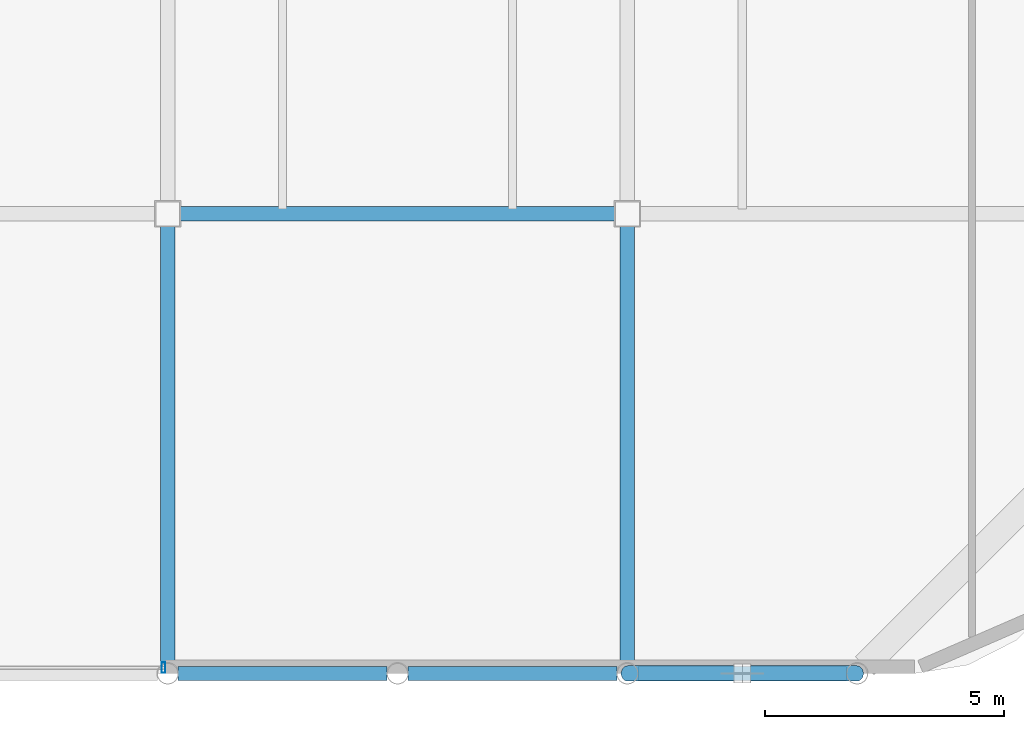
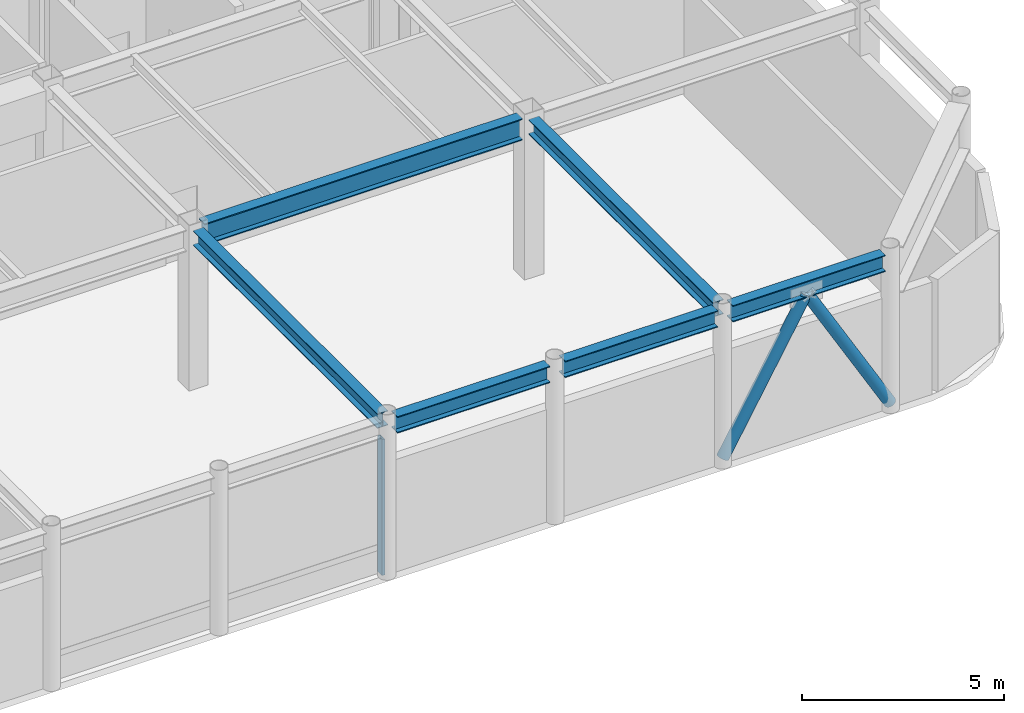
# One storey, part 9 of 21: 6 beams, 3 members, 1 element without a shape of its own.
"""IFC4 building model written with IfcOpenShell, lengths in metres."""

from ifc_helpers import new_model, si_unit, direction, frame, origin, origin_2d, place, context, subcontext, project, spatial, hollow_rectangle, hollow_circle, i_section, extrude, material, layer, layer_set, material_profile, profile_set, type_object, element, aggregate, save


model = new_model("IFC4")

# Units and contexts
model_context = context("Model", 3, precision=1e-05, world=origin(), true_north=direction((0.0, 1.0)))
body_context = subcontext(model_context, "Body", "Model", "MODEL_VIEW")
ifc_project = project(units=[si_unit("LENGTHUNIT", "METRE"), si_unit("AREAUNIT", "SQUARE_METRE"), si_unit("VOLUMEUNIT", "CUBIC_METRE"), si_unit("PLANEANGLEUNIT", "RADIAN"), si_unit("MASSUNIT", "GRAM", prefix="KILO")], contexts=[model_context])

# Site, building, storey
site_placement = place(None, origin())
site = spatial("IfcSite", under=ifc_project, at=site_placement, CompositionType="ELEMENT")
building_placement = place(site_placement, origin())
building = spatial("IfcBuilding", under=site, at=building_placement, Name="Kallvorn Hotel Tower", CompositionType="ELEMENT")
storey_placement = place(building_placement, frame((0.0, 0.0, 290.60009765625)))
storey = spatial("IfcBuildingStorey", under=building, at=storey_placement, Name="L72", CompositionType="ELEMENT", Elevation=290.60009765625)

# Beams
ifc_material_1 = material(Name="Structural steel S355JR", Category="steel")
ifc_material_profile_1 = material_profile(ifc_material_1, i_section(OverallWidth=0.300048828125, OverallDepth=0.43994140625, WebThickness=0.011474609375, FlangeThickness=0.02099609375, at=origin_2d()), Name="HE 450 A")
ifc_profile_set_1 = profile_set([ifc_material_profile_1], Name="Structural steel S355JR")
beam_type_1 = type_object("IfcBeamType", Name="BM_HE450A", PredefinedType="BEAM", material=ifc_profile_set_1)
for number, where, z_axis, x_axis, name in (
    (1, (4.800048828125, -23.79638671875, 4.579833984375), (0.0, 1.0, 0.0), (-1.0, 0.0, 0.0), "L73 Primary Y-Girder 40"),
    (2, (14.39990234375, -23.79638671875, 4.579833984375), (0.0, 1.0, 0.0), (-1.0, 0.0, 0.0), "L73 Primary Y-Girder 43"),
):
    element("IfcBeam", number, at=place(storey_placement, frame(where, z_axis=z_axis, x_axis=x_axis)), inside=storey, type_object=beam_type_1, Name=name, PredefinedType="BEAM", context=body_context, shape_type="SweptSolid", body=[
        extrude(i_section(OverallWidth=0.300048828125, OverallDepth=0.43994140625, WebThickness=0.011474609375, FlangeThickness=0.02099609375, at=origin_2d()), origin(), (0.0, 0.0, 1.0), 9.146484375),
    ])
ifc_material_2 = material(Name="Structural steel S355JR", Category="steel")
ifc_material_profile_2 = material_profile(ifc_material_2, i_section(OverallWidth=0.300048828125, OverallDepth=0.5, WebThickness=0.014404296875, FlangeThickness=0.028076171875, at=origin_2d()), Name="HE 500 B")
ifc_profile_set_2 = profile_set([ifc_material_profile_2], Name="Structural steel S355JR")
beam_type_2 = type_object("IfcBeamType", Name="BM_HE500B", PredefinedType="SPANDREL", material=ifc_profile_set_2)
beam_1_placement = place(storey_placement, frame((5.0185546875, -24.0, 4.5498046875), z_axis=(1.0, 0.0, 0.0), x_axis=(0.0, 1.0, 0.0)))
element("IfcBeam", 3, at=beam_1_placement, inside=storey, type_object=beam_type_2, Name="L73 Perimeter Spandrel 60", PredefinedType="SPANDREL", context=body_context, shape_type="SweptSolid", body=[
    extrude(i_section(OverallWidth=0.300048828125, OverallDepth=0.5, WebThickness=0.014404296875, FlangeThickness=0.028076171875, at=origin_2d()), origin(), (0.0, 0.0, 1.0), 4.363037109375),
])
beam_2_placement = place(storey_placement, frame((9.818603515625, -24.0, 4.5498046875), z_axis=(1.0, 0.0, 0.0), x_axis=(0.0, 1.0, 0.0)))
element("IfcBeam", 4, at=beam_2_placement, inside=storey, type_object=beam_type_2, Name="L73 Perimeter Spandrel 61", PredefinedType="SPANDREL", context=body_context, shape_type="SweptSolid", body=[
    extrude(i_section(OverallWidth=0.300048828125, OverallDepth=0.5, WebThickness=0.014404296875, FlangeThickness=0.028076171875, at=origin_2d()), origin(), (0.0, 0.0, 1.0), 4.36279296875),
])
beam_3_placement = place(storey_placement, frame((14.618408203125, -24.0, 4.5498046875), z_axis=(1.0, 0.0, 0.0), x_axis=(0.0, 1.0, 0.0)))
element("IfcBeam", 5, at=beam_3_placement, inside=storey, type_object=beam_type_2, Name="L73 Perimeter Spandrel 62", PredefinedType="SPANDREL", context=body_context, shape_type="SweptSolid", body=[
    extrude(i_section(OverallWidth=0.300048828125, OverallDepth=0.5, WebThickness=0.014404296875, FlangeThickness=0.028076171875, at=origin_2d()), origin(), (0.0, 0.0, 1.0), 4.363037109375),
])
ifc_material_3 = material(Name="Structural steel S355JR", Category="steel")
ifc_material_profile_3 = material_profile(ifc_material_3, i_section(OverallWidth=0.300048828125, OverallDepth=0.64990234375, WebThickness=0.01611328125, FlangeThickness=0.031005859375, at=origin_2d()), Name="HE 650 B")
ifc_profile_set_3 = profile_set([ifc_material_profile_3], Name="Structural steel S355JR")
beam_type_3 = type_object("IfcBeamType", Name="BM_HE650B", PredefinedType="BEAM", material=ifc_profile_set_3)
beam_4_placement = place(storey_placement, frame((5.050048828125, -14.39990234375, 4.474853515625), z_axis=(1.0, 0.0, 0.0), x_axis=(0.0, 1.0, 0.0)))
element("IfcBeam", 6, at=beam_4_placement, inside=storey, type_object=beam_type_3, Name="L73 Primary X-Girder 05", PredefinedType="BEAM", context=body_context, shape_type="SweptSolid", body=[
    extrude(i_section(OverallWidth=0.300048828125, OverallDepth=0.64990234375, WebThickness=0.01611328125, FlangeThickness=0.031005859375, at=origin_2d()), origin(), (0.0, 0.0, 1.0), 9.099853515625),
])

# Curtain wall, member
ifc_material_4 = material(Name="Thermally broken black-anodised aluminium AA 6063-T6", Category="aluminium")
ifc_layer = layer(ifc_material_4, 0.25)
ifc_layer_set = layer_set([ifc_layer], Name="CW_SYS_6_SUMMIT_OBS")
curtain_wall_type = type_object("IfcCurtainWallType", Name="CW_SYS_6_SUMMIT_OBS", PredefinedType="USERDEFINED", material=ifc_layer_set)
curtain_wall_placement = place(storey_placement, origin())
curtain_wall = element("IfcCurtainWall", 7, at=curtain_wall_placement, inside=storey, type_object=curtain_wall_type, Name="L72 Dark-Glass Curtain Wall CW-L72-SC", ObjectType="UNITISED CURTAIN WALL", PredefinedType="USERDEFINED")
ifc_material_5 = material(Name="Thermally broken black-anodised aluminium AA 6063-T6", Category="aluminium")
ifc_material_profile_4 = material_profile(ifc_material_5, hollow_rectangle(XDim=0.080078125, YDim=0.219970703125, WallThickness=0.0048828125, at=origin_2d()), Name="MUL 220x80")
ifc_profile_set_4 = profile_set([ifc_material_profile_4], Name="Thermally broken black-anodised aluminium AA 6063-T6")
member_type_1 = type_object("IfcMemberType", Name="CW_MULLION_220x80", PredefinedType="MULLION", material=ifc_profile_set_4)
member_1_placement = place(storey_placement, frame((4.7099609375, -23.8798828125, 0.02001953125), z_axis=(0.0, 0.0, 1.0), x_axis=(1.0, 0.0, 0.0)))
member_1 = element("IfcMember", 8, at=member_1_placement, type_object=member_type_1, Name="CW-L72-SC Mullion 02", PredefinedType="MULLION", context=body_context, shape_type="SweptSolid", body=[
    extrude(hollow_rectangle(XDim=0.080078125, YDim=0.219970703125, WallThickness=0.0048828125, at=origin_2d()), origin(), (0.0, 0.0, 1.0), 4.10986328125),
])
aggregate(curtain_wall, [member_1])

# Members
ifc_material_6 = material(Name="Structural steel S355J2H", Category="steel")
ifc_material_profile_5 = material_profile(ifc_material_6, hollow_circle(Radius=0.161865234375, WallThickness=0.012451171875, at=origin_2d()), Name="CHS 323.9x12.5")
ifc_profile_set_5 = profile_set([ifc_material_profile_5], Name="Structural steel S355J2H")
member_type_2 = type_object("IfcMemberType", Name="MBR_EXO_CHS323", PredefinedType="BRACE", material=ifc_profile_set_5)
member_2_placement = place(storey_placement, frame((14.409912109375, -24.0, 0.197265625), z_axis=(0.499750558989, 0.0, 0.866169370729), x_axis=(0.0, 1.0, 0.0)))
element("IfcMember", 9, at=member_2_placement, inside=storey, type_object=member_type_2, Name="L72 Exoskeleton K-Brace S2A", PredefinedType="BRACE", context=body_context, shape_type="SweptSolid", body=[
    extrude(hollow_circle(Radius=0.161865234375, WallThickness=0.012451171875, at=origin_2d()), origin(), (0.0, 0.0, 1.0), 4.7626953125),
])
member_3_placement = place(storey_placement, frame((19.18994140625, -24.0, 0.197265625), z_axis=(-0.499712098434, 0.0, 0.866191560037), x_axis=(0.0, -1.0, 0.0)))
element("IfcMember", 10, at=member_3_placement, inside=storey, type_object=member_type_2, Name="L72 Exoskeleton K-Brace S2B", PredefinedType="BRACE", context=body_context, shape_type="SweptSolid", body=[
    extrude(hollow_circle(Radius=0.161865234375, WallThickness=0.012451171875, at=origin_2d()), origin(), (0.0, 0.0, 1.0), 4.762451171875),
])

save(model, "model.ifc")
